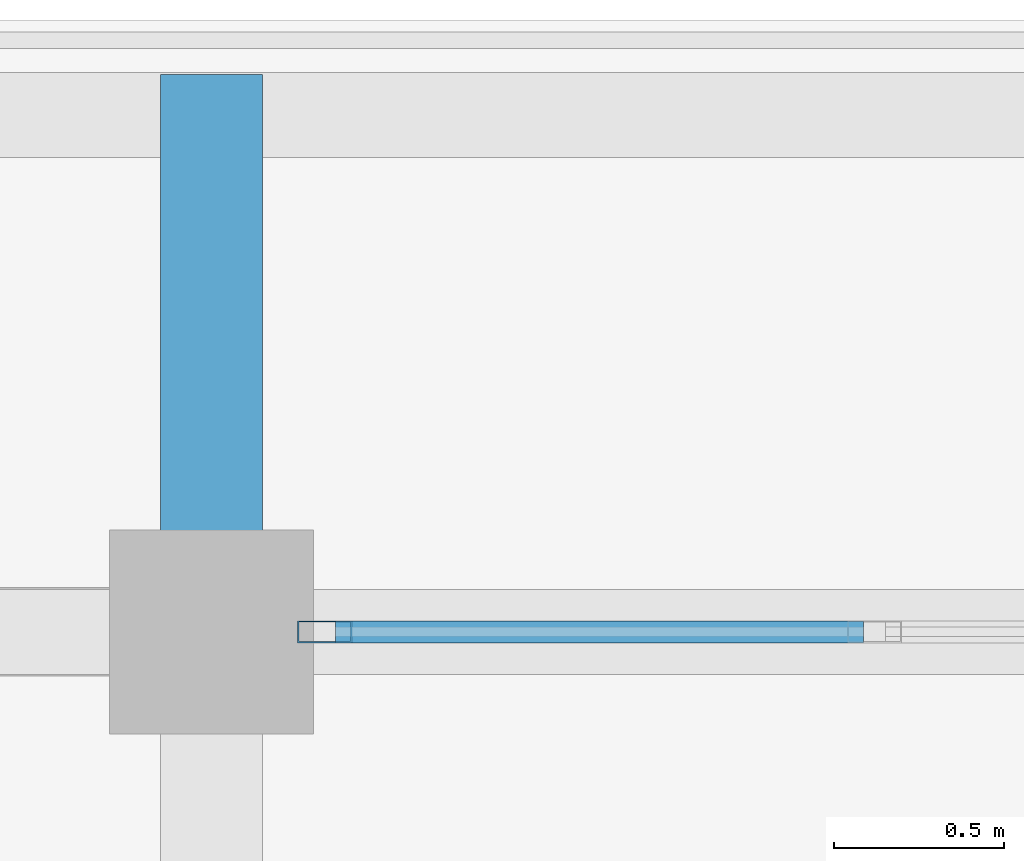
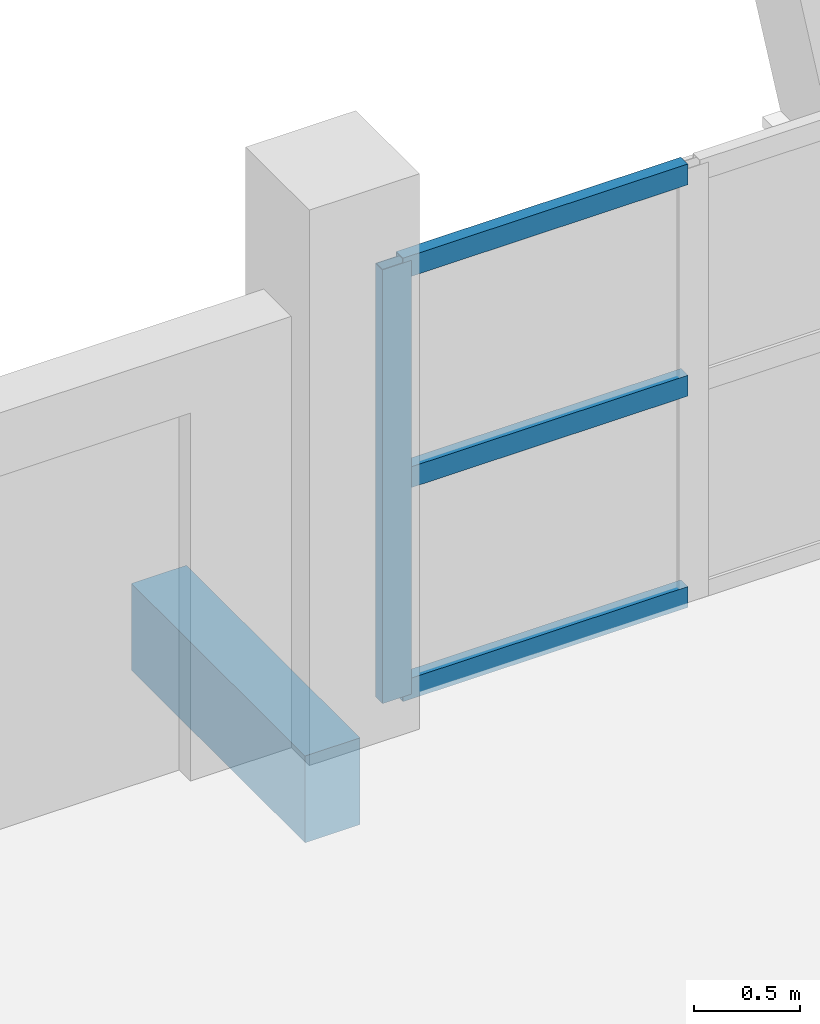
# One storey, part 9 of 65: 4 members, 1 beam, 1 element without a shape of its own.
"""IFC4 building model written with IfcOpenShell, lengths in metres."""

from ifc_helpers import new_model, si_unit, direction, frame, origin, origin_2d, place, context, subcontext, project, spatial, rectangle, hollow_rectangle, extrude, material, material_profile, profile_set, type_object, element, aggregate, save


model = new_model("IFC4")

# Units and contexts
model_context = context("Model", 3, precision=1e-05, world=origin(), true_north=direction((0.0, 1.0)))
body_context = subcontext(model_context, "Body", "Model", "MODEL_VIEW")
ifc_project = project(units=[si_unit("LENGTHUNIT", "METRE"), si_unit("AREAUNIT", "SQUARE_METRE"), si_unit("VOLUMEUNIT", "CUBIC_METRE"), si_unit("PLANEANGLEUNIT", "RADIAN"), si_unit("MASSUNIT", "GRAM", prefix="KILO")], contexts=[model_context])

# Site, building, storey
site_placement = place(None, origin())
site = spatial("IfcSite", under=ifc_project, at=site_placement, CompositionType="ELEMENT")
building_placement = place(site_placement, origin())
building = spatial("IfcBuilding", under=site, at=building_placement, Name="Suanplinth Sawtooth Commons", CompositionType="ELEMENT")
storey_placement = place(building_placement, frame((0.0, 0.0, 28.300048828125)))
storey = spatial("IfcBuildingStorey", under=building, at=storey_placement, Name="L08", CompositionType="ELEMENT", Elevation=28.300048828125)

# Beam
ifc_material_1 = material(Name="Precast concrete C40/50", Category="concrete")
ifc_material_profile_1 = material_profile(ifc_material_1, rectangle(XDim=0.300048828125, YDim=0.5, at=origin_2d()), Name="PC-BM 300x500")
ifc_profile_set_1 = profile_set([ifc_material_profile_1], Name="Precast concrete C40/50")
beam_type = type_object("IfcBeamType", Name="B-07", PredefinedType="BEAM", material=ifc_profile_set_1)
beam_placement = place(storey_placement, frame((28.800048828125, 122.39990234375, -0.429931640625), z_axis=(0.0, 1.0, 0.0), x_axis=(-1.0, 0.0, 0.0)))
element("IfcBeam", 1, at=beam_placement, inside=storey, type_object=beam_type, Name="Balcony Outrigger L08-A-N-4", PredefinedType="BEAM", context=body_context, shape_type="SweptSolid", body=[
    extrude(rectangle(XDim=0.300048828125, YDim=0.5, at=origin_2d()), origin(), (0.0, 0.0, 1.0), 1.64013671875),
])

# Curtain wall, members
ifc_material_2 = material(Name="Anodized aluminium and low-E glazing", Category="aluminium")
curtain_wall_type = type_object("IfcCurtainWallType", Name="CW-06", PredefinedType="USERDEFINED", material=ifc_material_2)
curtain_wall_placement = place(storey_placement, origin())
curtain_wall = element("IfcCurtainWall", 2, at=curtain_wall_placement, inside=storey, type_object=curtain_wall_type, Name="Curtain Wall CW-L08-A-LOUNGE-2", ObjectType="CURTAIN WALL", PredefinedType="USERDEFINED")
ifc_material_3 = material(Name="Anodized aluminium 6063-T6", Category="aluminium")
ifc_material_profile_2 = material_profile(ifc_material_3, hollow_rectangle(XDim=0.06494140625, YDim=0.159912109375, WallThickness=0.00390625, at=origin_2d()), Name="ALU-MUL 65x160")
ifc_profile_set_2 = profile_set([ifc_material_profile_2], Name="Anodized aluminium 6063-T6")
member_type_1 = type_object("IfcMemberType", Name="M-13", PredefinedType="MULLION", material=ifc_profile_set_2)
member_1_placement = place(storey_placement, frame((29.132568359375, 122.39990234375, 0.0), z_axis=(0.0, 0.0, 1.0), x_axis=(0.0, 1.0, 0.0)))
member_1 = element("IfcMember", 3, at=member_1_placement, type_object=member_type_1, Name="CW-06 mullion 1", PredefinedType="MULLION", context=body_context, shape_type="SweptSolid", body=[
    extrude(hollow_rectangle(XDim=0.06494140625, YDim=0.159912109375, WallThickness=0.00390625, at=origin_2d()), origin(), (0.0, 0.0, 1.0), 2.5),
])
ifc_material_profile_3 = material_profile(ifc_material_3, hollow_rectangle(XDim=0.06494140625, YDim=0.1201171875, WallThickness=0.00390625, at=origin_2d()), Name="ALU-TRN 65x120")
ifc_profile_set_3 = profile_set([ifc_material_profile_3], Name="Anodized aluminium 6063-T6")
member_type_2 = type_object("IfcMemberType", Name="M-15", PredefinedType="USERDEFINED", material=ifc_profile_set_3)
member_2_placement = place(storey_placement, frame((29.1650390625, 122.39990234375, 0.032470703125), z_axis=(1.0, 0.0, 0.0), x_axis=(0.0, 1.0, 0.0)))
member_2 = element("IfcMember", 4, at=member_2_placement, type_object=member_type_2, Name="CW-06 transom 1.1", ObjectType="TRANSOM", PredefinedType="USERDEFINED", context=body_context, shape_type="SweptSolid", body=[
    extrude(hollow_rectangle(XDim=0.06494140625, YDim=0.1201171875, WallThickness=0.00390625, at=origin_2d()), origin(), (0.0, 0.0, 1.0), 1.552490234375),
])
member_3_placement = place(storey_placement, frame((29.1650390625, 122.39990234375, 1.25), z_axis=(1.0, 0.0, 0.0), x_axis=(0.0, 1.0, 0.0)))
member_3 = element("IfcMember", 5, at=member_3_placement, type_object=member_type_2, Name="CW-06 transom 1.2", ObjectType="TRANSOM", PredefinedType="USERDEFINED", context=body_context, shape_type="SweptSolid", body=[
    extrude(hollow_rectangle(XDim=0.06494140625, YDim=0.1201171875, WallThickness=0.00390625, at=origin_2d()), origin(), (0.0, 0.0, 1.0), 1.552490234375),
])
member_4_placement = place(storey_placement, frame((29.1650390625, 122.39990234375, 2.467529296875), z_axis=(1.0, 0.0, 0.0), x_axis=(0.0, 1.0, 0.0)))
member_4 = element("IfcMember", 6, at=member_4_placement, type_object=member_type_2, Name="CW-06 transom 1.3", ObjectType="TRANSOM", PredefinedType="USERDEFINED", context=body_context, shape_type="SweptSolid", body=[
    extrude(hollow_rectangle(XDim=0.06494140625, YDim=0.1201171875, WallThickness=0.00390625, at=origin_2d()), origin(), (0.0, 0.0, 1.0), 1.552490234375),
])
aggregate(curtain_wall, [member_1, member_2, member_3, member_4])

save(model, "model.ifc")
